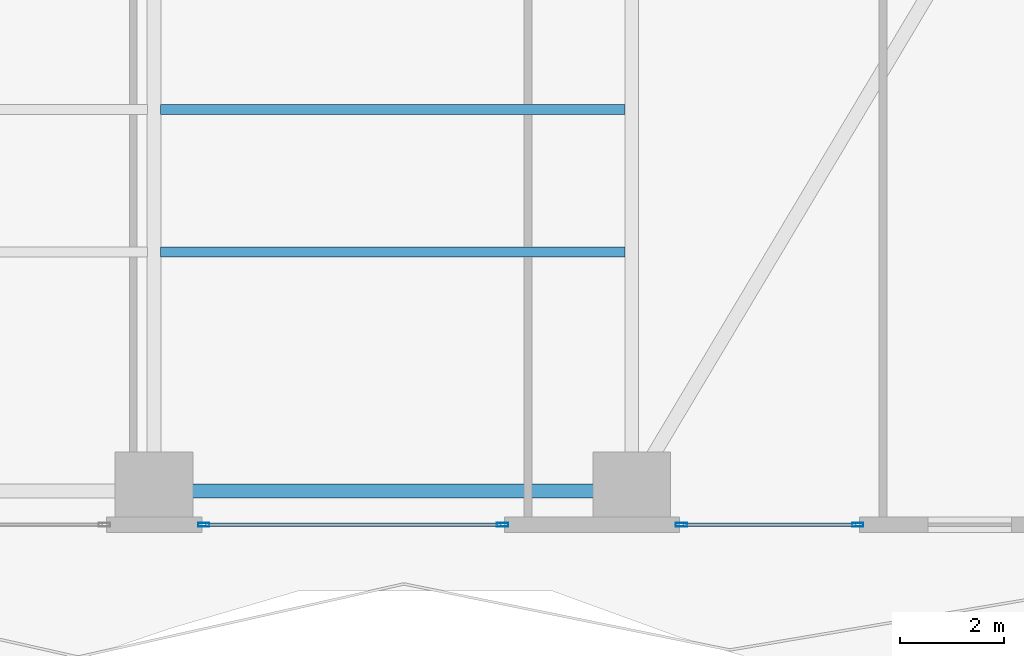
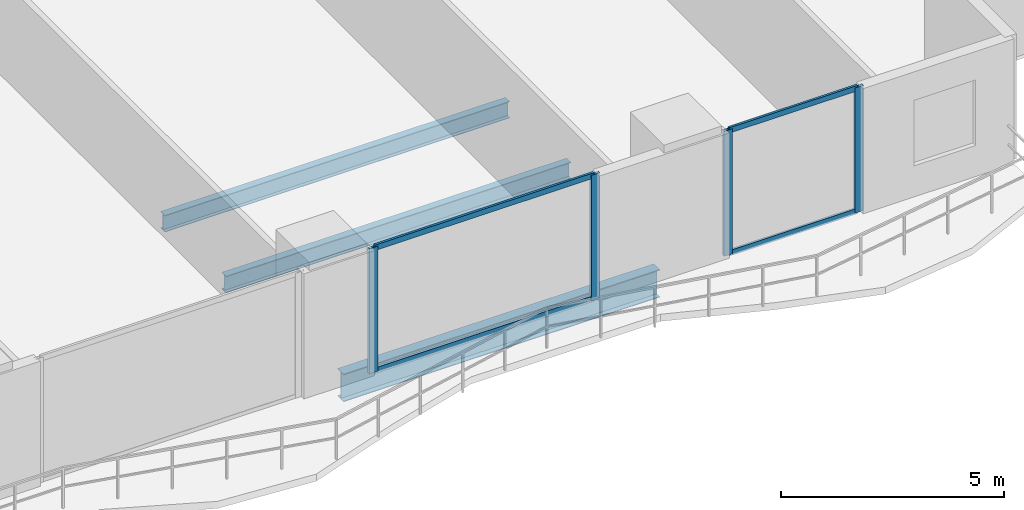
# One storey, part 8 of 28: 8 members, 3 beams, 2 elements without a shape of their own.
"""IFC4 building model written with IfcOpenShell, lengths in metres."""

from ifc_helpers import new_model, si_unit, direction, frame, origin, origin_2d, place, context, subcontext, project, spatial, hollow_rectangle, i_section, extrude, material, layer, layer_set, material_profile, profile_set, type_object, element, aggregate, save


model = new_model("IFC4")

# Units and contexts
model_context = context("Model", 3, precision=1e-05, world=origin(), true_north=direction((0.0, 1.0)))
body_context = subcontext(model_context, "Body", "Model", "MODEL_VIEW")
ifc_project = project(units=[si_unit("LENGTHUNIT", "METRE"), si_unit("AREAUNIT", "SQUARE_METRE"), si_unit("VOLUMEUNIT", "CUBIC_METRE"), si_unit("PLANEANGLEUNIT", "RADIAN"), si_unit("MASSUNIT", "GRAM", prefix="KILO")], contexts=[model_context])

# Site, building, storey
site_placement = place(None, origin())
site = spatial("IfcSite", under=ifc_project, at=site_placement, CompositionType="ELEMENT")
building_placement = place(site_placement, origin())
building = spatial("IfcBuilding", under=site, at=building_placement, Name="Zuhayl Quay Hotel", CompositionType="ELEMENT")
storey_placement = place(building_placement, frame((0.0, 0.0, 56.800048828125)))
storey = spatial("IfcBuildingStorey", under=building, at=storey_placement, Name="L13", CompositionType="ELEMENT", Elevation=56.800048828125)

# Beams
ifc_material_1 = material(Name="Steel ASTM A992 Grade 50", Category="steel")
ifc_material_profile_1 = material_profile(ifc_material_1, i_section(OverallWidth=0.26708984375, OverallDepth=0.761962890625, WebThickness=0.014404296875, FlangeThickness=0.021484375, at=origin_2d()), Name="W30X116")
ifc_profile_set_1 = profile_set([ifc_material_profile_1], Name="Steel ASTM A992 Grade 50")
beam_type_1 = type_object("IfcBeamType", Name="BM_B1_W30X116", PredefinedType="BEAM", material=ifc_profile_set_1)
beam_placement = place(storey_placement, frame((5.10009765625, -22.449951171875, -0.60107421875), z_axis=(1.0, 0.0, 0.0), x_axis=(0.0, 1.0, 0.0)))
element("IfcBeam", 1, at=beam_placement, inside=storey, type_object=beam_type_1, Name="L13 Floor Beam RG_L13_03", PredefinedType="BEAM", context=body_context, shape_type="SweptSolid", body=[
    extrude(i_section(OverallWidth=0.26708984375, OverallDepth=0.761962890625, WebThickness=0.014404296875, FlangeThickness=0.021484375, at=origin_2d()), origin(), (0.0, 0.0, 1.0), 8.199951171875),
])
ifc_material_profile_2 = material_profile(ifc_material_1, i_section(OverallWidth=0.18994140625, OverallDepth=0.45703125, WebThickness=0.009033203125, FlangeThickness=0.014404296875, at=origin_2d()), Name="W18X50")
ifc_profile_set_2 = profile_set([ifc_material_profile_2], Name="Steel ASTM A992 Grade 50")
beam_type_2 = type_object("IfcBeamType", Name="BM_J2_W18X50", PredefinedType="JOIST", material=ifc_profile_set_2)
for number, where, z_axis, x_axis, name in (
    (2, (4.7255859375, -17.85009765625, -0.448486328125), (1.0, 0.0, 0.0), (0.0, 1.0, 0.0), "L13 Floor Beam FJ_L13_3_3"),
    (3, (4.7255859375, -15.10009765625, -0.448486328125), (1.0, 0.0, 0.0), (0.0, 1.0, 0.0), "L13 Floor Beam FJ_L13_4_3"),
):
    element("IfcBeam", number, at=place(storey_placement, frame(where, z_axis=z_axis, x_axis=x_axis)), inside=storey, type_object=beam_type_2, Name=name, PredefinedType="JOIST", context=body_context, shape_type="SweptSolid", body=[
        extrude(i_section(OverallWidth=0.18994140625, OverallDepth=0.45703125, WebThickness=0.009033203125, FlangeThickness=0.014404296875, at=origin_2d()), origin(), (0.0, 0.0, 1.0), 8.948974609375),
    ])

# Curtain wall, members
ifc_material_2 = material(Name="Anodised Aluminium 6063-T6", Category="aluminium")
ifc_layer = layer(ifc_material_2, 0.18994140625, Name="Anodised Aluminium 6063-T6", Category="aluminium")
ifc_layer_set = layer_set([ifc_layer], Name="Anodised Aluminium 6063-T6")
curtain_wall_type = type_object("IfcCurtainWallType", Name="CW_SYS_Z1", PredefinedType="USERDEFINED", material=ifc_layer_set)
curtain_wall_1_placement = place(storey_placement, origin())
curtain_wall_1 = element("IfcCurtainWall", 4, at=curtain_wall_1_placement, inside=storey, type_object=curtain_wall_type, Name="L13 Curtain Wall ENV_L13_S_CW1", ObjectType="UNITISED CURTAIN WALL", PredefinedType="USERDEFINED")
ifc_material_3 = material(Name="Black-anodised aluminium 6063-T6", Category="aluminium")
ifc_material_profile_3 = material_profile(ifc_material_3, hollow_rectangle(XDim=0.074951171875, YDim=0.219970703125, WallThickness=0.00390625, at=origin_2d()), Name="ALU220X75")
ifc_profile_set_3 = profile_set([ifc_material_profile_3], Name="Black-anodised aluminium 6063-T6")
member_type_1 = type_object("IfcMemberType", Name="MB_CW_MUL_220", PredefinedType="MULLION", material=ifc_profile_set_3)
member_1_placement = place(storey_placement, frame((18.152587890625, -23.10009765625, 0.0), z_axis=(0.0, 0.0, 1.0), x_axis=(0.0, -1.0, 0.0)))
member_1 = element("IfcMember", 5, at=member_1_placement, type_object=member_type_1, Name="CW-Z1 mullion 1", PredefinedType="MULLION", context=body_context, shape_type="SweptSolid", body=[
    extrude(hollow_rectangle(XDim=0.074951171875, YDim=0.219970703125, WallThickness=0.00390625, at=origin_2d()), origin(), (0.0, 0.0, 1.0), 3.429931640625),
])
member_2_placement = place(storey_placement, frame((14.757568359375, -23.10009765625, 0.0), z_axis=(0.0, 0.0, 1.0), x_axis=(0.0, -1.0, 0.0)))
member_2 = element("IfcMember", 6, at=member_2_placement, type_object=member_type_1, Name="CW-Z1 mullion 2", PredefinedType="MULLION", context=body_context, shape_type="SweptSolid", body=[
    extrude(hollow_rectangle(XDim=0.074951171875, YDim=0.219970703125, WallThickness=0.00390625, at=origin_2d()), origin(), (0.0, 0.0, 1.0), 3.429931640625),
])

curtain_wall_2_placement = place(storey_placement, origin())
curtain_wall_2 = element("IfcCurtainWall", 7, at=curtain_wall_2_placement, inside=storey, type_object=curtain_wall_type, Name="L13 Curtain Wall ENV_L13_S_CW2", ObjectType="UNITISED CURTAIN WALL", PredefinedType="USERDEFINED")
member_3_placement = place(storey_placement, frame((11.3125, -23.10009765625, 0.0), z_axis=(0.0, 0.0, 1.0), x_axis=(0.0, -1.0, 0.0)))
member_3 = element("IfcMember", 8, at=member_3_placement, type_object=member_type_1, Name="CW-Z1 mullion 1", PredefinedType="MULLION", context=body_context, shape_type="SweptSolid", body=[
    extrude(hollow_rectangle(XDim=0.074951171875, YDim=0.219970703125, WallThickness=0.00390625, at=origin_2d()), origin(), (0.0, 0.0, 1.0), 3.429931640625),
])
member_4_placement = place(storey_placement, frame((5.5576171875, -23.10009765625, 0.0), z_axis=(0.0, 0.0, 1.0), x_axis=(0.0, -1.0, 0.0)))
member_4 = element("IfcMember", 9, at=member_4_placement, type_object=member_type_1, Name="CW-Z1 mullion 2", PredefinedType="MULLION", context=body_context, shape_type="SweptSolid", body=[
    extrude(hollow_rectangle(XDim=0.074951171875, YDim=0.219970703125, WallThickness=0.00390625, at=origin_2d()), origin(), (0.0, 0.0, 1.0), 3.429931640625),
])

# Member
ifc_material_profile_4 = material_profile(ifc_material_3, hollow_rectangle(XDim=0.06005859375, YDim=0.14990234375, WallThickness=0.00341796875, at=origin_2d()), Name="ALU150X60")
ifc_profile_set_4 = profile_set([ifc_material_profile_4], Name="Black-anodised aluminium 6063-T6")
member_type_2 = type_object("IfcMemberType", Name="MB_CW_TRN_150", PredefinedType="USERDEFINED", material=ifc_profile_set_4)
member_5_placement = place(storey_placement, frame((18.114990234375, -23.10009765625, 0.030029296875), z_axis=(-1.0, 0.0, 0.0), x_axis=(0.0, -1.0, 0.0)))
member_5 = element("IfcMember", 10, at=member_5_placement, type_object=member_type_2, Name="CW-Z1 transom 1.1", ObjectType="TRANSOM", PredefinedType="USERDEFINED", context=body_context, shape_type="SweptSolid", body=[
    extrude(hollow_rectangle(XDim=0.06005859375, YDim=0.14990234375, WallThickness=0.00341796875, at=origin_2d()), origin(), (0.0, 0.0, 1.0), 3.320068359375),
])

member_6_placement = place(storey_placement, frame((18.114990234375, -23.10009765625, 3.39990234375), z_axis=(-1.0, 0.0, 0.0), x_axis=(0.0, -1.0, 0.0)))
member_6 = element("IfcMember", 11, at=member_6_placement, type_object=member_type_2, Name="CW-Z1 transom 1.2", ObjectType="TRANSOM", PredefinedType="USERDEFINED", context=body_context, shape_type="SweptSolid", body=[
    extrude(hollow_rectangle(XDim=0.06005859375, YDim=0.14990234375, WallThickness=0.00341796875, at=origin_2d()), origin(), (0.0, 0.0, 1.0), 3.320068359375),
])

aggregate(curtain_wall_1, [member_1, member_2, member_5, member_6])

member_7_placement = place(storey_placement, frame((11.27490234375, -23.10009765625, 0.030029296875), z_axis=(-1.0, 0.0, 0.0), x_axis=(0.0, -1.0, 0.0)))
member_7 = element("IfcMember", 12, at=member_7_placement, type_object=member_type_2, Name="CW-Z1 transom 1.1", ObjectType="TRANSOM", PredefinedType="USERDEFINED", context=body_context, shape_type="SweptSolid", body=[
    extrude(hollow_rectangle(XDim=0.06005859375, YDim=0.14990234375, WallThickness=0.00341796875, at=origin_2d()), origin(), (0.0, 0.0, 1.0), 5.679931640625),
])

member_8_placement = place(storey_placement, frame((11.27490234375, -23.10009765625, 3.39990234375), z_axis=(-1.0, 0.0, 0.0), x_axis=(0.0, -1.0, 0.0)))
member_8 = element("IfcMember", 13, at=member_8_placement, type_object=member_type_2, Name="CW-Z1 transom 1.2", ObjectType="TRANSOM", PredefinedType="USERDEFINED", context=body_context, shape_type="SweptSolid", body=[
    extrude(hollow_rectangle(XDim=0.06005859375, YDim=0.14990234375, WallThickness=0.00341796875, at=origin_2d()), origin(), (0.0, 0.0, 1.0), 5.679931640625),
])

aggregate(curtain_wall_2, [member_3, member_4, member_7, member_8])

save(model, "model.ifc")
